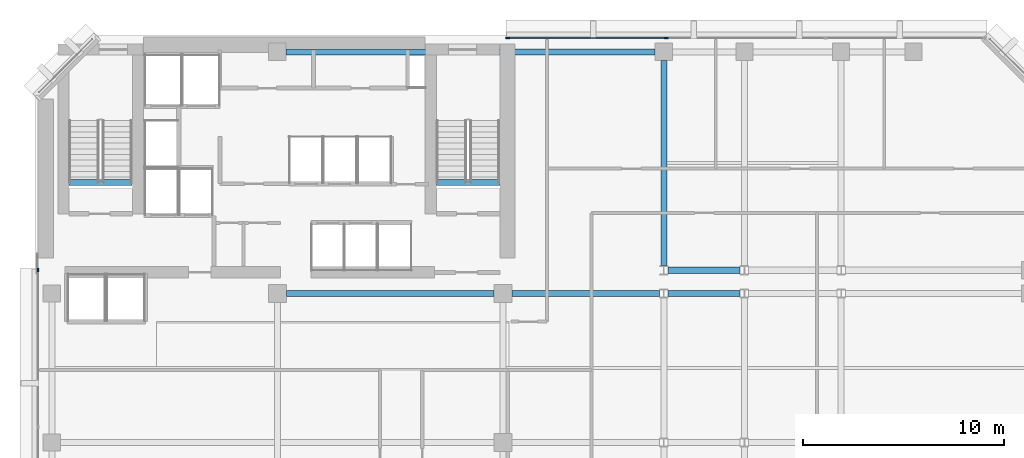
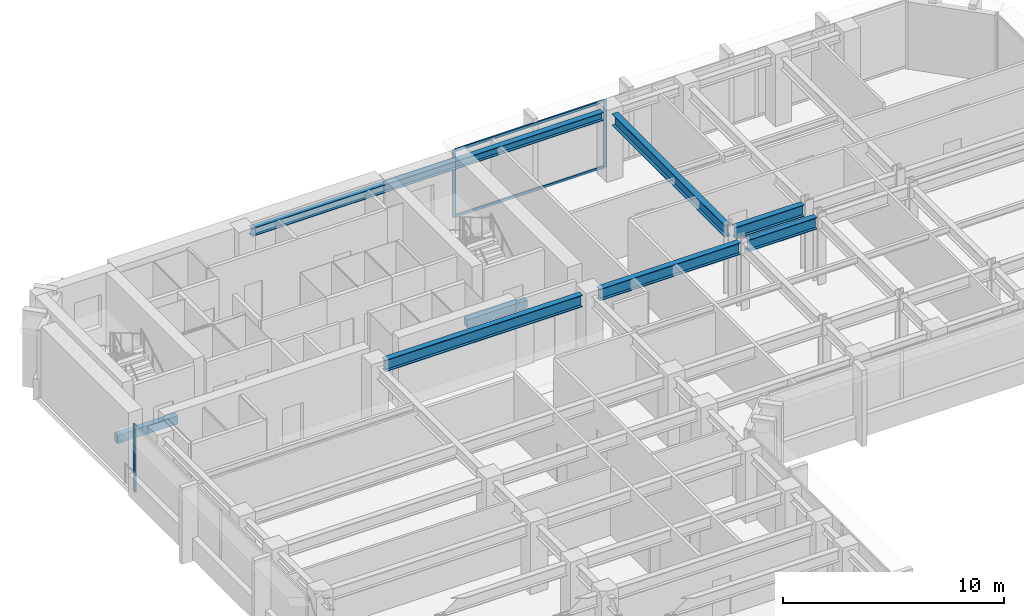
# One storey, part 4 of 11: 8 beams, 5 members, 2 elements without a shape of their own.
"""IFC4 building model written with IfcOpenShell, lengths in metres."""

from ifc_helpers import new_model, si_unit, direction, frame, origin, origin_2d, place, context, subcontext, project, spatial, rectangle, i_section, extrude, material, layer, layer_set, material_profile, profile_set, type_object, element, aggregate, save


model = new_model("IFC4")

# Units and contexts
model_context = context("Model", 3, precision=1e-05, world=origin(), true_north=direction((0.0, 1.0)))
body_context = subcontext(model_context, "Body", "Model", "MODEL_VIEW")
ifc_project = project(units=[si_unit("LENGTHUNIT", "METRE"), si_unit("AREAUNIT", "SQUARE_METRE"), si_unit("VOLUMEUNIT", "CUBIC_METRE"), si_unit("PLANEANGLEUNIT", "RADIAN"), si_unit("MASSUNIT", "GRAM", prefix="KILO")], contexts=[model_context])

# Site, building, storey
site_placement = place(None, origin())
site = spatial("IfcSite", under=ifc_project, at=site_placement, CompositionType="ELEMENT")
building_placement = place(site_placement, origin())
building = spatial("IfcBuilding", under=site, at=building_placement, Name="Kefirva Bronze Tower", CompositionType="ELEMENT")
storey_placement = place(building_placement, frame((0.0, 0.0, 183.47998046875)))
storey = spatial("IfcBuildingStorey", under=building, at=storey_placement, Name="L44", CompositionType="ELEMENT", Elevation=183.47998046875)

# Curtain wall, members
ifc_material_1 = material(Name="Bronze anodised aluminium", Category="aluminium")
ifc_layer = layer(ifc_material_1, 0.199951171875, Name="Bronze anodised aluminium")
ifc_layer_set = layer_set([ifc_layer], Name="Bronze anodised aluminium")
curtain_wall_type = type_object("IfcCurtainWallType", Name="Unitised Bronze Ribbon Curtain Wall Zone 2", PredefinedType="USERDEFINED", material=ifc_layer_set)
curtain_wall_1_placement = place(storey_placement, origin())
curtain_wall_1 = element("IfcCurtainWall", 1, at=curtain_wall_1_placement, inside=storey, type_object=curtain_wall_type, Name="L44 Curtain Wall 4", ObjectType="UNITISED CURTAIN WALL", PredefinedType="USERDEFINED")
ifc_material_profile_1 = material_profile(ifc_material_1, rectangle(XDim=0.074951171875, YDim=0.179931640625, at=origin_2d()), Name="ALU 75x180")
ifc_profile_set_1 = profile_set([ifc_material_profile_1], Name="Bronze anodised aluminium")
member_type_1 = type_object("IfcMemberType", Name="Bronze Mullion 75x180", PredefinedType="MULLION", material=ifc_profile_set_1)
member_1_placement = place(storey_placement, frame((31.318359375, 45.8798828125, 0.0), z_axis=(0.0, 0.0, 1.0), x_axis=(0.0, -1.0, 0.0)))
member_1 = element("IfcMember", 2, at=member_1_placement, type_object=member_type_1, Name="CW-02 mullion 3", PredefinedType="MULLION", context=body_context, shape_type="SweptSolid", body=[
    extrude(rectangle(XDim=0.074951171875, YDim=0.179931640625, at=origin_2d()), origin(), (0.0, 0.0, 1.0), 3.7099609375),
])
member_2_placement = place(storey_placement, frame((23.4423828125, 45.8798828125, 0.0), z_axis=(0.0, 0.0, 1.0), x_axis=(0.0, -1.0, 0.0)))
member_2 = element("IfcMember", 3, at=member_2_placement, type_object=member_type_1, Name="CW-02 mullion 4", PredefinedType="MULLION", context=body_context, shape_type="SweptSolid", body=[
    extrude(rectangle(XDim=0.074951171875, YDim=0.179931640625, at=origin_2d()), origin(), (0.0, 0.0, 1.0), 3.7099609375),
])

# Curtain wall, member
curtain_wall_2_placement = place(storey_placement, origin())
curtain_wall_2 = element("IfcCurtainWall", 4, at=curtain_wall_2_placement, inside=storey, type_object=curtain_wall_type, Name="L44 Curtain Wall 5", ObjectType="UNITISED CURTAIN WALL", PredefinedType="USERDEFINED")
member_3_placement = place(storey_placement, frame((0.1201171875, 34.357421875, 0.0), z_axis=(0.0, 0.0, 1.0), x_axis=(1.0, 0.0, 0.0)))
member_3 = element("IfcMember", 5, at=member_3_placement, type_object=member_type_1, Name="CW-02 mullion 1", PredefinedType="MULLION", context=body_context, shape_type="SweptSolid", body=[
    extrude(rectangle(XDim=0.074951171875, YDim=0.179931640625, at=origin_2d()), origin(), (0.0, 0.0, 1.0), 3.7099609375),
])
aggregate(curtain_wall_2, [member_3])

# Member
ifc_material_profile_2 = material_profile(ifc_material_1, rectangle(XDim=0.074951171875, YDim=0.14990234375, at=origin_2d()), Name="ALU 75x150")
ifc_profile_set_2 = profile_set([ifc_material_profile_2], Name="Bronze anodised aluminium")
member_type_2 = type_object("IfcMemberType", Name="Bronze Transom 75x150", PredefinedType="USERDEFINED", material=ifc_profile_set_2)
member_4_placement = place(storey_placement, frame((31.28076171875, 45.8798828125, 0.03759765625), z_axis=(-1.0, 0.0, 0.0), x_axis=(0.0, -1.0, 0.0)))
member_4 = element("IfcMember", 6, at=member_4_placement, type_object=member_type_2, Name="CW-02 transom 3.1", ObjectType="TRANSOM", PredefinedType="USERDEFINED", context=body_context, shape_type="SweptSolid", body=[
    extrude(rectangle(XDim=0.074951171875, YDim=0.14990234375, at=origin_2d()), origin(), (0.0, 0.0, 1.0), 7.80078125),
])

member_5_placement = place(storey_placement, frame((31.28076171875, 45.8798828125, 3.672607421875), z_axis=(-1.0, 0.0, 0.0), x_axis=(0.0, -1.0, 0.0)))
member_5 = element("IfcMember", 7, at=member_5_placement, type_object=member_type_2, Name="CW-02 transom 3.2", ObjectType="TRANSOM", PredefinedType="USERDEFINED", context=body_context, shape_type="SweptSolid", body=[
    extrude(rectangle(XDim=0.074951171875, YDim=0.14990234375, at=origin_2d()), origin(), (0.0, 0.0, 1.0), 7.80078125),
])

aggregate(curtain_wall_1, [member_1, member_2, member_4, member_5])

# Beams
ifc_material_2 = material(Name="Concrete C50/60", Category="concrete")
ifc_material_profile_3 = material_profile(ifc_material_2, rectangle(XDim=0.300048828125, YDim=0.449951171875, at=origin_2d()), Name="RC 300x450")
ifc_profile_set_3 = profile_set([ifc_material_profile_3], Name="Concrete C50/60")
beam_type_1 = type_object("IfcBeamType", Name="RC Stair Trimmer Beam 300x450", PredefinedType="BEAM", material=ifc_profile_set_3)
beam_1_placement = place(storey_placement, frame((1.64501953125, 38.699951171875, -0.22509765625), z_axis=(1.0, 0.0, 0.0), x_axis=(0.0, 1.0, 0.0)))
element("IfcBeam", 8, at=beam_1_placement, inside=storey, type_object=beam_type_1, Name="L44 Stair 1 Landing Trimmer Beam", PredefinedType="BEAM", context=body_context, shape_type="SweptSolid", body=[
    extrude(rectangle(XDim=0.300048828125, YDim=0.449951171875, at=origin_2d()), origin(), (0.0, 0.0, 1.0), 3.14990234375),
])
beam_2_placement = place(storey_placement, frame((19.89501953125, 38.699951171875, -0.22509765625), z_axis=(1.0, 0.0, 0.0), x_axis=(0.0, 1.0, 0.0)))
element("IfcBeam", 9, at=beam_2_placement, inside=storey, type_object=beam_type_1, Name="L44 Stair 2 Landing Trimmer Beam", PredefinedType="BEAM", context=body_context, shape_type="SweptSolid", body=[
    extrude(rectangle(XDim=0.300048828125, YDim=0.449951171875, at=origin_2d()), origin(), (0.0, 0.0, 1.0), 3.159912109375),
])
ifc_material_3 = material(Name="Steel S355", Category="steel")
ifc_material_profile_4 = material_profile(ifc_material_3, i_section(OverallWidth=0.300048828125, OverallDepth=0.64990234375, WebThickness=0.01611328125, FlangeThickness=0.031005859375, at=origin_2d()), Name="HEB 650")
ifc_profile_set_4 = profile_set([ifc_material_profile_4], Name="Steel S355")
beam_type_2 = type_object("IfcBeamType", Name="Steel Girder HEB 650", PredefinedType="USERDEFINED", material=ifc_profile_set_4)
beam_3_placement = place(storey_placement, frame((12.449951171875, 33.199951171875, 3.385009765625), z_axis=(1.0, 0.0, 0.0), x_axis=(0.0, 1.0, 0.0)))
element("IfcBeam", 10, at=beam_3_placement, inside=storey, type_object=beam_type_2, Name="L44 BM-L44-EW-12-332", ObjectType="GIRDER", PredefinedType="USERDEFINED", context=body_context, shape_type="SweptSolid", body=[
    extrude(i_section(OverallWidth=0.300048828125, OverallDepth=0.64990234375, WebThickness=0.01611328125, FlangeThickness=0.031005859375, at=origin_2d()), origin(), (0.0, 0.0, 1.0), 10.300048828125),
])
beam_4_placement = place(storey_placement, frame((23.64990234375, 33.199951171875, 3.385009765625), z_axis=(1.0, 0.0, 0.0), x_axis=(0.0, 1.0, 0.0)))
element("IfcBeam", 11, at=beam_4_placement, inside=storey, type_object=beam_type_2, Name="L44 BM-L44-EW-23-332", ObjectType="GIRDER", PredefinedType="USERDEFINED", context=body_context, shape_type="SweptSolid", body=[
    extrude(i_section(OverallWidth=0.300048828125, OverallDepth=0.64990234375, WebThickness=0.01611328125, FlangeThickness=0.031005859375, at=origin_2d()), origin(), (0.0, 0.0, 1.0), 7.341064453125),
])
for number, where, z_axis, x_axis, name in (
    (12, (31.408935546875, 33.199951171875, 3.385009765625), (1.0, 0.0, 0.0), (0.0, 1.0, 0.0), "L44 BM-L44-EW-31-332"),
    (13, (31.408935546875, 34.35009765625, 3.385009765625), (1.0, 0.0, 0.0), (0.0, 1.0, 0.0), "L44 BM-L44-EW-31-344"),
):
    element("IfcBeam", number, at=place(storey_placement, frame(where, z_axis=z_axis, x_axis=x_axis)), inside=storey, type_object=beam_type_2, Name=name, ObjectType="GIRDER", PredefinedType="USERDEFINED", context=body_context, shape_type="SweptSolid", body=[
        extrude(i_section(OverallWidth=0.300048828125, OverallDepth=0.64990234375, WebThickness=0.01611328125, FlangeThickness=0.031005859375, at=origin_2d()), origin(), (0.0, 0.0, 1.0), 3.58203125),
    ])
beam_5_placement = place(storey_placement, frame((31.199951171875, 34.577392578125, 3.385009765625), z_axis=(0.0, 1.0, 0.0), x_axis=(-1.0, 0.0, 0.0)))
element("IfcBeam", 14, at=beam_5_placement, inside=storey, type_object=beam_type_2, Name="L44 BM-L44-NS-312-34", ObjectType="GIRDER", PredefinedType="USERDEFINED", context=body_context, shape_type="SweptSolid", body=[
    extrude(i_section(OverallWidth=0.300048828125, OverallDepth=0.64990234375, WebThickness=0.01611328125, FlangeThickness=0.031005859375, at=origin_2d()), origin(), (0.0, 0.0, 1.0), 10.192626953125),
])
ifc_material_profile_5 = material_profile(ifc_material_3, i_section(OverallWidth=0.300048828125, OverallDepth=0.449951171875, WebThickness=0.013916015625, FlangeThickness=0.02587890625, at=origin_2d()), Name="HEB 450")
ifc_profile_set_5 = profile_set([ifc_material_profile_5], Name="Steel S355")
beam_type_3 = type_object("IfcBeamType", Name="Steel Spandrel HEB 450 Ext", PredefinedType="SPANDREL", material=ifc_profile_set_5)
beam_6_placement = place(storey_placement, frame((12.429931640625, 45.199951171875, 3.485107421875), z_axis=(1.0, 0.0, 0.0), x_axis=(0.0, 1.0, 0.0)))
element("IfcBeam", 15, at=beam_6_placement, inside=storey, type_object=beam_type_3, Name="L44 BM-L44-EW-12-452", PredefinedType="SPANDREL", context=body_context, shape_type="SweptSolid", body=[
    extrude(i_section(OverallWidth=0.300048828125, OverallDepth=0.449951171875, WebThickness=0.013916015625, FlangeThickness=0.02587890625, at=origin_2d()), origin(), (0.0, 0.0, 1.0), 18.340087890625),
])

save(model, "model.ifc")
